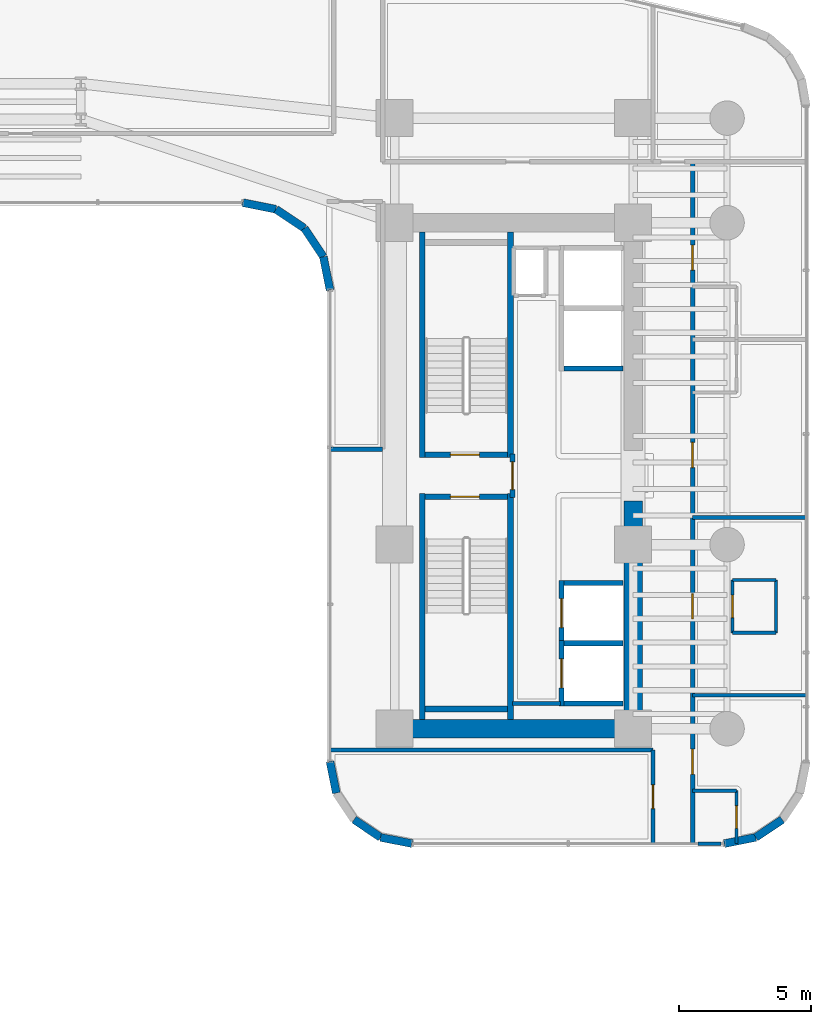
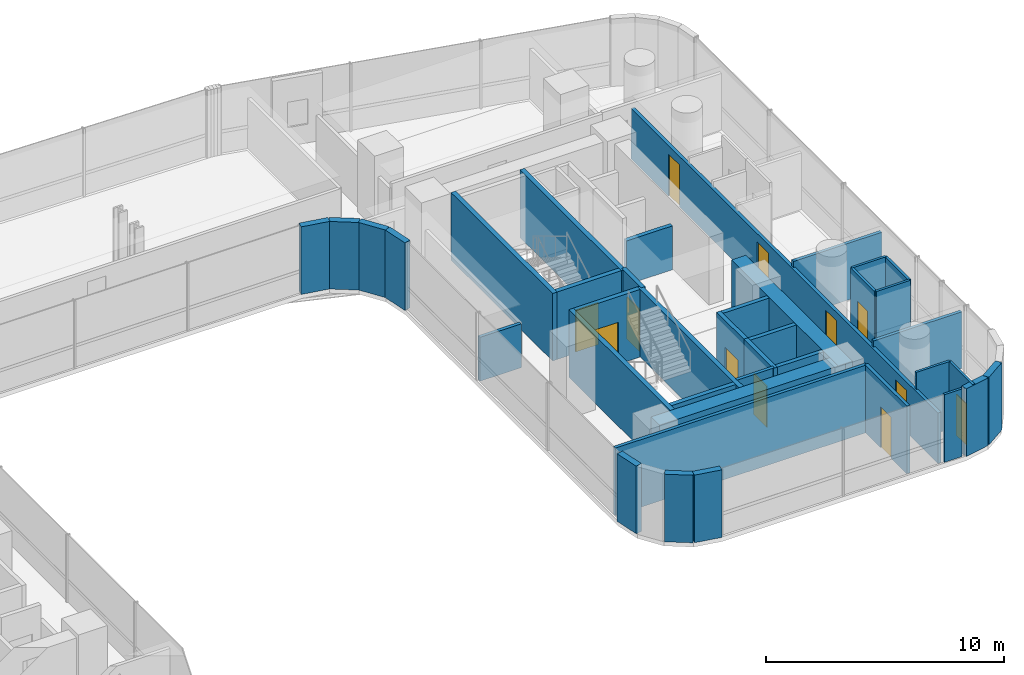
# One storey, part 31 of 39: 39 walls, 12 doors, 12 openings.
"""IFC4 building model written with IfcOpenShell, lengths in metres."""

from ifc_helpers import new_model, si_unit, direction, frame, frame_2d, origin, place, context, subcontext, project, spatial, rectangle, extrude, material, layer, layer_set, type_object, element, fill, save


model = new_model("IFC4")

# Units and contexts
model_context = context("Model", 3, precision=1e-05, world=origin(), true_north=direction((0.0, 1.0)))
body_context = subcontext(model_context, "Body", "Model", "MODEL_VIEW")
ifc_project = project(units=[si_unit("LENGTHUNIT", "METRE"), si_unit("AREAUNIT", "SQUARE_METRE"), si_unit("VOLUMEUNIT", "CUBIC_METRE"), si_unit("PLANEANGLEUNIT", "RADIAN"), si_unit("MASSUNIT", "GRAM", prefix="KILO")], contexts=[model_context])

# Site, building, storey
site_placement = place(None, origin())
site = spatial("IfcSite", under=ifc_project, at=site_placement, CompositionType="ELEMENT")
building_placement = place(site_placement, origin())
building = spatial("IfcBuilding", under=site, at=building_placement, Name="Valdorenza Pilgrim Sanctuary Tower", CompositionType="ELEMENT")
storey_placement = place(building_placement, frame((0.0, 0.0, 70.39990234375)))
storey = spatial("IfcBuildingStorey", under=building, at=storey_placement, Name="L17", CompositionType="ELEMENT", Elevation=70.39990234375)

# Wall
ifc_material_1 = material(Name="Acoustic twin-stud gypsum partition", Category="gypsum")
ifc_layer_1 = layer(ifc_material_1, 0.159912109375, Name="Acoustic twin-stud gypsum partition")
ifc_layer_set_1 = layer_set([ifc_layer_1], Name="Acoustic twin-stud gypsum partition")
wall_type_1 = type_object("IfcWallType", Name="WAL-COR-160", PredefinedType="PARTITIONING", material=ifc_layer_set_1)
wall_1_placement = place(storey_placement, frame((20.300048828125, -8.60009765625, 0.0), z_axis=(0.0, 0.0, 1.0), x_axis=(1.0, 0.0, 0.0)))
element("IfcWall", 1, at=wall_1_placement, inside=storey, type_object=wall_type_1, Name="L17 Core B Lift Hall South End Wall", PredefinedType="PARTITIONING", context=body_context, shape_type="SweptSolid", body=[
    extrude(rectangle(XDim=1.820068359375, YDim=0.159912109375, at=frame_2d((0.91015625, 0.0))), origin(), (0.0, 0.0, 1.0), 3.460205078125),
])

# Wall, opening, door
wall_2_placement = place(storey_placement, frame((25.60009765625, -13.889892578125, 0.0), z_axis=(0.0, 0.0, 1.0), x_axis=(0.0, 1.0, 0.0)))
wall_2 = element("IfcWall", 2, at=wall_2_placement, inside=storey, type_object=wall_type_1, Name="L17 Wing B South-East Corridor Wall", PredefinedType="PARTITIONING", context=body_context, shape_type="SweptSolid", body=[
    extrude(rectangle(XDim=3.539794921875, YDim=0.159912109375, at=frame_2d((1.77001953125, 0.0))), origin(), (0.0, 0.0, 1.0), 3.460205078125),
])
opening_1_placement = place(wall_2_placement, frame((1.320068359375, 0.0, 0.0)))
opening_1 = element("IfcOpeningElement", 3, at=opening_1_placement, cuts=wall_2, Name="Opening DR-RM1", PredefinedType="OPENING", context=body_context, shape_type="SweptSolid", body=[
    extrude(rectangle(XDim=0.89990234375, YDim=2.10009765625, at=frame_2d((0.449951171875, 1.050048828125))), frame((0.0, 0.0947265625, 0.0), z_axis=(0.0, -1.0, 0.0), x_axis=(1.0, 0.0, 0.0)), (0.0, 0.0, 1.0), 0.189697265625),
])
ifc_material_2 = material(Name="Solid-core European oak timber", Category="wood")
door_type_1 = type_object("IfcDoorType", Name="DR-ROOM-900", OperationType="NOTDEFINED", PredefinedType="DOOR", material=ifc_material_2)
door_1_placement = place(opening_1_placement, origin())
door_1 = element("IfcDoor", 4, at=door_1_placement, inside=storey, type_object=door_type_1, Name="L17 Theological Reference Library L17-BS Door", OperationType="SINGLE_SWING_RIGHT", OverallHeight=2.10009765625, OverallWidth=0.89990234375, PredefinedType="DOOR", context=body_context, shape_type="SweptSolid", body=[
    extrude(rectangle(XDim=0.89990234375, YDim=2.10009765625, at=frame_2d((0.449951171875, 1.050048828125))), frame((0.0, 0.02490234375, 0.0), z_axis=(0.0, -1.0, 0.0), x_axis=(1.0, 0.0, 0.0)), (0.0, 0.0, 1.0), 0.050048828125),
])
fill(opening_1, door_1)

# Wall
wall_3_placement = place(storey_placement, frame((13.409912109375, -10.35009765625, 0.0), z_axis=(0.0, 0.0, 1.0), x_axis=(1.0, 0.0, 0.0)))
element("IfcWall", 5, at=wall_3_placement, inside=storey, type_object=wall_type_1, Name="L17 Wing B South North Wall", PredefinedType="PARTITIONING", context=body_context, shape_type="SweptSolid", body=[
    extrude(rectangle(XDim=12.190185546875, YDim=0.159912109375, at=frame_2d((6.09521484375, 0.0))), origin(), (0.0, 0.0, 1.0), 3.460205078125),
])

# Wall, openings, doors
wall_4_placement = place(storey_placement, frame((27.10009765625, -13.889892578125, 0.0), z_axis=(0.0, 0.0, 1.0), x_axis=(0.0, 1.0, 0.0)))
wall_4 = element("IfcWall", 6, at=wall_4_placement, inside=storey, type_object=wall_type_1, Name="L17 Wing B East Corridor Wall", PredefinedType="PARTITIONING", context=body_context, shape_type="SweptSolid", body=[
    extrude(rectangle(XDim=25.739990234375, YDim=0.159912109375, at=frame_2d((12.8701171875, 0.0))), origin(), (0.0, 0.0, 1.0), 2.5830078125),
])
opening_2_placement = place(wall_4_placement, frame((2.6201171875, 0.0, 0.0)))
opening_2 = element("IfcOpeningElement", 7, at=opening_2_placement, cuts=wall_4, Name="Opening DR-UN1", PredefinedType="OPENING", context=body_context, shape_type="SweptSolid", body=[
    extrude(rectangle(XDim=0.949951171875, YDim=2.14990234375, at=frame_2d((0.47509765625, 1.074951171875))), frame((0.0, 0.0947265625, 0.0), z_axis=(0.0, -1.0, 0.0), x_axis=(1.0, 0.0, 0.0)), (0.0, 0.0, 1.0), 0.189697265625),
])
opening_3_placement = place(wall_4_placement, frame((8.48388671875, 0.0, 0.0)))
opening_3 = element("IfcOpeningElement", 8, at=opening_3_placement, cuts=wall_4, Name="Opening DR-UN1", PredefinedType="OPENING", context=body_context, shape_type="SweptSolid", body=[
    extrude(rectangle(XDim=0.949951171875, YDim=2.14990234375, at=frame_2d((0.47509765625, 1.074951171875))), frame((0.0, 0.0947265625, 0.0), z_axis=(0.0, -1.0, 0.0), x_axis=(1.0, 0.0, 0.0)), (0.0, 0.0, 1.0), 0.189697265625),
])
opening_4_placement = place(wall_4_placement, frame((14.197021484375, 0.0, 0.0)))
opening_4 = element("IfcOpeningElement", 9, at=opening_4_placement, cuts=wall_4, Name="Opening DR-UN1", PredefinedType="OPENING", context=body_context, shape_type="SweptSolid", body=[
    extrude(rectangle(XDim=0.949951171875, YDim=2.14990234375, at=frame_2d((0.47509765625, 1.074951171875))), frame((0.0, 0.0947265625, 0.0), z_axis=(0.0, -1.0, 0.0), x_axis=(1.0, 0.0, 0.0)), (0.0, 0.0, 1.0), 0.189697265625),
])
opening_5_placement = place(wall_4_placement, frame((21.64794921875, 0.0, 0.0)))
opening_5 = element("IfcOpeningElement", 10, at=opening_5_placement, cuts=wall_4, Name="Opening DR-UN1", PredefinedType="OPENING", context=body_context, shape_type="SweptSolid", body=[
    extrude(rectangle(XDim=0.949951171875, YDim=2.14990234375, at=frame_2d((0.47509765625, 1.074951171875))), frame((0.0, 0.0947265625, 0.0), z_axis=(0.0, -1.0, 0.0), x_axis=(1.0, 0.0, 0.0)), (0.0, 0.0, 1.0), 0.189697265625),
])
door_type_2 = type_object("IfcDoorType", Name="DR-UNIT-950", OperationType="NOTDEFINED", PredefinedType="DOOR", material=ifc_material_2)
door_2_placement = place(opening_2_placement, origin())
door_2 = element("IfcDoor", 11, at=door_2_placement, inside=storey, type_object=door_type_2, Name="L17 East Sanctuary Guest Room L17-EG1 Entrance Door", OperationType="SINGLE_SWING_RIGHT", OverallHeight=2.14990234375, OverallWidth=0.949951171875, PredefinedType="DOOR", context=body_context, shape_type="SweptSolid", body=[
    extrude(rectangle(XDim=0.949951171875, YDim=2.14990234375, at=frame_2d((0.47509765625, 1.074951171875))), frame((0.0, 0.02490234375, 0.0), z_axis=(0.0, -1.0, 0.0), x_axis=(1.0, 0.0, 0.0)), (0.0, 0.0, 1.0), 0.050048828125),
])
fill(opening_2, door_2)
door_3_placement = place(opening_3_placement, origin())
door_3 = element("IfcDoor", 12, at=door_3_placement, inside=storey, type_object=door_type_2, Name="L17 East Sanctuary Guest Room L17-EG2 Entrance Door", OperationType="SINGLE_SWING_RIGHT", OverallHeight=2.14990234375, OverallWidth=0.949951171875, PredefinedType="DOOR", context=body_context, shape_type="SweptSolid", body=[
    extrude(rectangle(XDim=0.949951171875, YDim=2.14990234375, at=frame_2d((0.47509765625, 1.074951171875))), frame((0.0, 0.02490234375, 0.0), z_axis=(0.0, -1.0, 0.0), x_axis=(1.0, 0.0, 0.0)), (0.0, 0.0, 1.0), 0.050048828125),
])
fill(opening_3, door_3)
door_4_placement = place(opening_4_placement, origin())
door_4 = element("IfcDoor", 13, at=door_4_placement, inside=storey, type_object=door_type_2, Name="L17 East Sanctuary Guest Room L17-EG3 Entrance Door", OperationType="SINGLE_SWING_RIGHT", OverallHeight=2.14990234375, OverallWidth=0.949951171875, PredefinedType="DOOR", context=body_context, shape_type="SweptSolid", body=[
    extrude(rectangle(XDim=0.949951171875, YDim=2.14990234375, at=frame_2d((0.47509765625, 1.074951171875))), frame((0.0, 0.02490234375, 0.0), z_axis=(0.0, -1.0, 0.0), x_axis=(1.0, 0.0, 0.0)), (0.0, 0.0, 1.0), 0.050048828125),
])
fill(opening_4, door_4)
door_5_placement = place(opening_5_placement, origin())
door_5 = element("IfcDoor", 14, at=door_5_placement, inside=storey, type_object=door_type_2, Name="L17 East Sanctuary Guest Room L17-EG4 Entrance Door", OperationType="SINGLE_SWING_RIGHT", OverallHeight=2.14990234375, OverallWidth=0.949951171875, PredefinedType="DOOR", context=body_context, shape_type="SweptSolid", body=[
    extrude(rectangle(XDim=0.949951171875, YDim=2.14990234375, at=frame_2d((0.47509765625, 1.074951171875))), frame((0.0, 0.02490234375, 0.0), z_axis=(0.0, -1.0, 0.0), x_axis=(1.0, 0.0, 0.0)), (0.0, 0.0, 1.0), 0.050048828125),
])
fill(opening_5, door_5)

# Walls
wall_5_placement = place(storey_placement, frame((13.409912109375, 1.0, 0.0), z_axis=(0.0, 0.0, 1.0), x_axis=(1.0, 0.0, 0.0)))
element("IfcWall", 15, at=wall_5_placement, inside=storey, type_object=wall_type_1, Name="L17 Courtyard Overlook South Wall", PredefinedType="PARTITIONING", context=body_context, shape_type="SweptSolid", body=[
    extrude(rectangle(XDim=1.989990234375, YDim=0.159912109375, at=frame_2d((0.9951171875, 0.0))), origin(), (0.0, 0.0, 1.0), 2.2451171875),
])
ifc_material_3 = material(Name="Concrete C60/75", Category="concrete")
ifc_layer_2 = layer(ifc_material_3, 0.699951171875, Name="Concrete C60/75")
ifc_layer_set_2 = layer_set([ifc_layer_2], Name="Concrete C60/75")
wall_type_2 = type_object("IfcWallType", Name="WAL-COR-700", PredefinedType="SHEAR", material=ifc_layer_set_2)
wall_6_placement = place(storey_placement, frame((24.85009765625, -9.89990234375, 0.0), z_axis=(0.0, 0.0, 1.0), x_axis=(0.0, 1.0, 0.0)))
element("IfcWall", 16, at=wall_6_placement, inside=storey, type_object=wall_type_2, Name="L17 Split Core B Shear Wall ES", PredefinedType="SHEAR", context=body_context, shape_type="SweptSolid", body=[
    extrude(rectangle(XDim=8.949951171875, YDim=0.699951171875, at=frame_2d((4.47509765625, 0.0))), origin(), (0.0, 0.0, 1.0), 3.460205078125),
])
wall_7_placement = place(storey_placement, frame((15.85009765625, -9.550048828125, 0.0), z_axis=(0.0, 0.0, 1.0), x_axis=(1.0, 0.0, 0.0)))
element("IfcWall", 17, at=wall_7_placement, inside=storey, type_object=wall_type_2, Name="L17 Split Core B Shear Wall S", PredefinedType="SHEAR", context=body_context, shape_type="SweptSolid", body=[
    extrude(rectangle(XDim=9.0, YDim=0.699951171875, at=frame_2d((4.5, 0.0))), origin(), (0.0, 0.0, 1.0), 3.460205078125),
])
ifc_material_4 = material(Name="Honed travertine limestone", Category="masonry")
ifc_layer_3 = layer(ifc_material_4, 0.300048828125, Name="Honed travertine limestone")
ifc_layer_set_3 = layer_set([ifc_layer_3], Name="Honed travertine limestone")
wall_type_3 = type_object("IfcWallType", Name="WAL-EXT-300", PredefinedType="SOLIDWALL", material=ifc_layer_set_3)
wall_8_placement = place(storey_placement, frame((30.4833984375, -12.9833984375, 0.0), z_axis=(0.0, 0.0, 1.0), x_axis=(-0.831426265255, -0.555635100982, 0.0)))
element("IfcWall", 18, at=wall_8_placement, inside=storey, type_object=wall_type_3, Name="L17 Rounded Wind-Corner Stone Pier 24", PredefinedType="SOLIDWALL", context=body_context, shape_type="SweptSolid", body=[
    extrude(rectangle(XDim=1.204833984375, YDim=0.300048828125, at=frame_2d((0.6025390625, 0.0))), origin(), (0.0, 0.0, 1.0), 3.460205078125),
])
for number, where, z_axis, x_axis, name in (
    (19, (29.481689453125, -13.65283203125, 0.0), (0.0, 0.0, 1.0), (-0.980804027463, -0.194996050505, 0.0), "L17 Rounded Wind-Corner Stone Pier 25"),
    (20, (16.5107421875, -13.889892578125, 0.0), (0.0, 0.0, 1.0), (-0.980804027463, 0.194996050505, 0.0), "L17 Rounded Wind-Corner Stone Pier 27"),
):
    element("IfcWall", number, at=place(storey_placement, frame(where, z_axis=z_axis, x_axis=x_axis)), inside=storey, type_object=wall_type_3, Name=name, PredefinedType="SOLIDWALL", context=body_context, shape_type="SweptSolid", body=[
        extrude(rectangle(XDim=1.2158203125, YDim=0.300048828125, at=frame_2d((0.60791015625, 0.0))), origin(), (0.0, 0.0, 1.0), 3.460205078125),
    ])
wall_9_placement = place(storey_placement, frame((15.318359375, -13.65283203125, 0.0), z_axis=(0.0, 0.0, 1.0), x_axis=(-0.831426265255, 0.555635100982, 0.0)))
element("IfcWall", 21, at=wall_9_placement, inside=storey, type_object=wall_type_3, Name="L17 Rounded Wind-Corner Stone Pier 28", PredefinedType="SOLIDWALL", context=body_context, shape_type="SweptSolid", body=[
    extrude(rectangle(XDim=1.204833984375, YDim=0.300048828125, at=frame_2d((0.6025390625, 0.0))), origin(), (0.0, 0.0, 1.0), 3.460205078125),
])
wall_10_placement = place(storey_placement, frame((13.647216796875, -11.981689453125, 0.0), z_axis=(0.0, 0.0, 1.0), x_axis=(-0.195189223115, 0.980765602568, 0.0)))
element("IfcWall", 22, at=wall_10_placement, inside=storey, type_object=wall_type_3, Name="L17 Rounded Wind-Corner Stone Pier 30", PredefinedType="SOLIDWALL", context=body_context, shape_type="SweptSolid", body=[
    extrude(rectangle(XDim=1.2158203125, YDim=0.300048828125, at=frame_2d((0.60791015625, 0.0))), origin(), (0.0, 0.0, 1.0), 3.460205078125),
])
wall_11_placement = place(storey_placement, frame((13.409912109375, 7.0107421875, 0.0), z_axis=(0.0, 0.0, 1.0), x_axis=(-0.195090163074, 0.980785312019, 0.0)))
element("IfcWall", 23, at=wall_11_placement, inside=storey, type_object=wall_type_3, Name="L17 Rounded Wind-Corner Stone Pier 32", PredefinedType="SOLIDWALL", context=body_context, shape_type="SweptSolid", body=[
    extrude(rectangle(XDim=1.281494140625, YDim=0.300048828125, at=frame_2d((0.640625, 0.0))), origin(), (0.0, 0.0, 1.0), 3.460205078125),
])
for number, where, z_axis, x_axis, name in (
    (24, (13.159912109375, 8.267578125, 0.0), (0.0, 0.0, 1.0), (-0.555615398575, 0.831439431869, 0.0), "L17 Rounded Wind-Corner Stone Pier 33"),
    (25, (12.44189453125, 9.342041015625, 0.0), (0.0, 0.0, 1.0), (-0.831439431869, 0.555615398575, 0.0), "L17 Rounded Wind-Corner Stone Pier 34"),
):
    element("IfcWall", number, at=place(storey_placement, frame(where, z_axis=z_axis, x_axis=x_axis)), inside=storey, type_object=wall_type_3, Name=name, PredefinedType="SOLIDWALL", context=body_context, shape_type="SweptSolid", body=[
        extrude(rectangle(XDim=1.292236328125, YDim=0.300048828125, at=frame_2d((0.64599609375, 0.0))), origin(), (0.0, 0.0, 1.0), 3.460205078125),
    ])
wall_12_placement = place(storey_placement, frame((11.367431640625, 10.06005859375, 0.0), z_axis=(0.0, 0.0, 1.0), x_axis=(-0.980778058848, 0.195126623715, 0.0)))
element("IfcWall", 26, at=wall_12_placement, inside=storey, type_object=wall_type_3, Name="L17 Rounded Wind-Corner Stone Pier 35", PredefinedType="SOLIDWALL", context=body_context, shape_type="SweptSolid", body=[
    extrude(rectangle(XDim=1.28125, YDim=0.300048828125, at=frame_2d((0.640625, 0.0))), origin(), (0.0, 0.0, 1.0), 3.460205078125),
])

# Wall, opening, door
ifc_material_5 = material(Name="Gypsum shaftwall partition", Category="gypsum")
ifc_layer_4 = layer(ifc_material_5, 0.199951171875, Name="Gypsum shaftwall partition")
ifc_layer_set_4 = layer_set([ifc_layer_4], Name="Gypsum shaftwall partition")
wall_type_4 = type_object("IfcWallType", Name="WAL-FFL-200", PredefinedType="PARTITIONING", material=ifc_layer_set_4)
wall_13_placement = place(storey_placement, frame((20.300048828125, -0.820068359375, 0.0), z_axis=(0.0, 0.0, 1.0), x_axis=(0.0, 1.0, 0.0)))
wall_13 = element("IfcWall", 27, at=wall_13_placement, inside=storey, type_object=wall_type_4, Name="L17 Core B Firefighting Lobby East Wall", PredefinedType="PARTITIONING", context=body_context, shape_type="SweptSolid", body=[
    extrude(rectangle(XDim=1.64013671875, YDim=0.199951171875, at=frame_2d((0.820068359375, 0.0))), origin(), (0.0, 0.0, 1.0), 3.460205078125),
])
opening_6_placement = place(wall_13_placement, frame((0.294921875, 0.0, 0.0)))
opening_6 = element("IfcOpeningElement", 28, at=opening_6_placement, cuts=wall_13, Name="Opening DR-FL1", PredefinedType="OPENING", context=body_context, shape_type="SweptSolid", body=[
    extrude(rectangle(XDim=1.050048828125, YDim=2.14990234375, at=frame_2d((0.52490234375, 1.074951171875))), frame((0.0, 0.11474609375, 0.0), z_axis=(0.0, -1.0, 0.0), x_axis=(1.0, 0.0, 0.0)), (0.0, 0.0, 1.0), 0.229736328125),
])
ifc_material_6 = material(Name="Painted galvanized steel", Category="steel")
door_type_3 = type_object("IfcDoorType", Name="DR-FFL-1050", OperationType="NOTDEFINED", PredefinedType="DOOR", material=ifc_material_6)
door_6_placement = place(opening_6_placement, origin())
door_6 = element("IfcDoor", 29, at=door_6_placement, inside=storey, type_object=door_type_3, Name="L17 Core B Firefighting Lobby Door", OperationType="SINGLE_SWING_RIGHT", OverallHeight=2.14990234375, OverallWidth=1.050048828125, PredefinedType="DOOR", context=body_context, shape_type="SweptSolid", body=[
    extrude(rectangle(XDim=1.050048828125, YDim=2.14990234375, at=frame_2d((0.52490234375, 1.074951171875))), frame((0.0, 0.02490234375, 0.0), z_axis=(0.0, -1.0, 0.0), x_axis=(1.0, 0.0, 0.0)), (0.0, 0.0, 1.0), 0.050048828125),
])
fill(opening_6, door_6)

# Wall
ifc_material_7 = material(Name="Moisture-resistant gypsum partition", Category="gypsum")
ifc_layer_5 = layer(ifc_material_7, 0.1201171875, Name="Moisture-resistant gypsum partition")
ifc_layer_set_5 = layer_set([ifc_layer_5], Name="Moisture-resistant gypsum partition")
wall_type_5 = type_object("IfcWallType", Name="WAL-INT-120", PredefinedType="PARTITIONING", material=ifc_layer_set_5)
wall_14_placement = place(storey_placement, frame((27.10009765625, -11.889892578125, 0.0), z_axis=(0.0, 0.0, 1.0), x_axis=(1.0, 0.0, 0.0)))
element("IfcWall", 30, at=wall_14_placement, inside=storey, type_object=wall_type_5, Name="L17 East Sanctuary Guest Room L17-EG1 En-suite North Wall", PredefinedType="PARTITIONING", context=body_context, shape_type="SweptSolid", body=[
    extrude(rectangle(XDim=1.64990234375, YDim=0.1201171875, at=frame_2d((0.824951171875, 0.0))), origin(), (0.0, 0.0, 1.0), 3.460205078125),
])

# Wall, opening, door
wall_15_placement = place(storey_placement, frame((28.75, -13.889892578125, 0.0), z_axis=(0.0, 0.0, 1.0), x_axis=(0.0, 1.0, 0.0)))
wall_15 = element("IfcWall", 31, at=wall_15_placement, inside=storey, type_object=wall_type_5, Name="L17 East Sanctuary Guest Room L17-EG1 En-suite Door Wall", PredefinedType="PARTITIONING", context=body_context, shape_type="SweptSolid", body=[
    extrude(rectangle(XDim=2.0, YDim=0.1201171875, at=frame_2d((1.0, 0.0))), origin(), (0.0, 0.0, 1.0), 3.460205078125),
])
opening_7_placement = place(wall_15_placement, frame((0.574951171875, 0.0, 0.0)))
opening_7 = element("IfcOpeningElement", 32, at=opening_7_placement, cuts=wall_15, Name="Opening DR-WC1", PredefinedType="OPENING", context=body_context, shape_type="SweptSolid", body=[
    extrude(rectangle(XDim=0.85009765625, YDim=2.10009765625, at=frame_2d((0.425048828125, 1.050048828125))), frame((0.0, 0.074951171875, 0.0), z_axis=(0.0, -1.0, 0.0), x_axis=(1.0, 0.0, 0.0)), (0.0, 0.0, 1.0), 0.14990234375),
])
ifc_material_8 = material(Name="Moisture-resistant lacquered timber", Category="wood")
door_type_4 = type_object("IfcDoorType", Name="DR-BATH-850", OperationType="NOTDEFINED", PredefinedType="DOOR", material=ifc_material_8)
door_7_placement = place(opening_7_placement, origin())
door_7 = element("IfcDoor", 33, at=door_7_placement, inside=storey, type_object=door_type_4, Name="L17 East Sanctuary Guest Room L17-EG1 En-suite Bathroom Door", OperationType="SINGLE_SWING_LEFT", OverallHeight=2.10009765625, OverallWidth=0.85009765625, PredefinedType="DOOR", context=body_context, shape_type="SweptSolid", body=[
    extrude(rectangle(XDim=0.85009765625, YDim=2.10009765625, at=frame_2d((0.425048828125, 1.050048828125))), frame((0.0, 0.02490234375, 0.0), z_axis=(0.0, -1.0, 0.0), x_axis=(1.0, 0.0, 0.0)), (0.0, 0.0, 1.0), 0.050048828125),
])
fill(opening_7, door_7)

# Walls
wall_16_placement = place(storey_placement, frame((27.300048828125, -13.889892578125, 0.0), z_axis=(0.0, 0.0, 1.0), x_axis=(1.0, 0.0, 0.0)))
element("IfcWall", 34, at=wall_16_placement, inside=storey, type_object=wall_type_5, Name="L17 WB-EG1-ENS Enclosure Wall S", PredefinedType="PARTITIONING", context=body_context, shape_type="SweptSolid", body=[
    extrude(rectangle(XDim=0.86669921875, YDim=0.1201171875, at=frame_2d((0.433349609375, 0.0))), origin(), (0.0, 0.0, 1.0), 3.460205078125),
])
for number, where, z_axis, x_axis, name in (
    (35, (28.60009765625, -5.930908203125, 0.0), (0.0, 0.0, 1.0), (1.0, 0.0, 0.0), "L17 East Sanctuary Guest Room L17-EG2 En-suite South Wall"),
    (36, (28.60009765625, -3.930908203125, 0.0), (0.0, 0.0, 1.0), (1.0, 0.0, 0.0), "L17 East Sanctuary Guest Room L17-EG2 En-suite North Wall"),
):
    element("IfcWall", number, at=place(storey_placement, frame(where, z_axis=z_axis, x_axis=x_axis)), inside=storey, type_object=wall_type_5, Name=name, PredefinedType="PARTITIONING", context=body_context, shape_type="SweptSolid", body=[
        extrude(rectangle(XDim=1.64990234375, YDim=0.1201171875, at=frame_2d((0.824951171875, 0.0))), origin(), (0.0, 0.0, 1.0), 3.460205078125),
    ])
wall_17_placement = place(storey_placement, frame((30.25, -5.930908203125, 0.0), z_axis=(0.0, 0.0, 1.0), x_axis=(0.0, 1.0, 0.0)))
element("IfcWall", 37, at=wall_17_placement, inside=storey, type_object=wall_type_5, Name="L17 East Sanctuary Guest Room L17-EG2 En-suite Back Wall", PredefinedType="PARTITIONING", context=body_context, shape_type="SweptSolid", body=[
    extrude(rectangle(XDim=2.0, YDim=0.1201171875, at=frame_2d((1.0, 0.0))), origin(), (0.0, 0.0, 1.0), 3.460205078125),
])

# Wall, opening, door
wall_18_placement = place(storey_placement, frame((28.60009765625, -5.930908203125, 0.0), z_axis=(0.0, 0.0, 1.0), x_axis=(0.0, 1.0, 0.0)))
wall_18 = element("IfcWall", 38, at=wall_18_placement, inside=storey, type_object=wall_type_5, Name="L17 East Sanctuary Guest Room L17-EG2 En-suite Door Wall", PredefinedType="PARTITIONING", context=body_context, shape_type="SweptSolid", body=[
    extrude(rectangle(XDim=2.0, YDim=0.1201171875, at=frame_2d((1.0, 0.0))), origin(), (0.0, 0.0, 1.0), 3.460205078125),
])
opening_8_placement = place(wall_18_placement, frame((0.574951171875, 0.0, 0.0)))
opening_8 = element("IfcOpeningElement", 39, at=opening_8_placement, cuts=wall_18, Name="Opening DR-WC1", PredefinedType="OPENING", context=body_context, shape_type="SweptSolid", body=[
    extrude(rectangle(XDim=0.85009765625, YDim=2.10009765625, at=frame_2d((0.425048828125, 1.050048828125))), frame((0.0, 0.074951171875, 0.0), z_axis=(0.0, -1.0, 0.0), x_axis=(1.0, 0.0, 0.0)), (0.0, 0.0, 1.0), 0.14990234375),
])
door_8_placement = place(opening_8_placement, origin())
door_8 = element("IfcDoor", 40, at=door_8_placement, inside=storey, type_object=door_type_4, Name="L17 East Sanctuary Guest Room L17-EG2 En-suite Bathroom Door", OperationType="SINGLE_SWING_LEFT", OverallHeight=2.10009765625, OverallWidth=0.85009765625, PredefinedType="DOOR", context=body_context, shape_type="SweptSolid", body=[
    extrude(rectangle(XDim=0.85009765625, YDim=2.10009765625, at=frame_2d((0.425048828125, 1.050048828125))), frame((0.0, 0.02490234375, 0.0), z_axis=(0.0, -1.0, 0.0), x_axis=(1.0, 0.0, 0.0)), (0.0, 0.0, 1.0), 0.050048828125),
])
fill(opening_8, door_8)

ifc_material_9 = material(Name="Autoclaved aerated concrete blockwork", Category="masonry")
ifc_layer_6 = layer(ifc_material_9, 0.199951171875, Name="Autoclaved aerated concrete blockwork")
ifc_layer_set_6 = layer_set([ifc_layer_6], Name="Autoclaved aerated concrete blockwork")
wall_type_6 = type_object("IfcWallType", Name="WAL-SHF-200", PredefinedType="MOVABLE", material=ifc_layer_set_6)
wall_19_placement = place(storey_placement, frame((22.14990234375, -8.699951171875, 0.0), z_axis=(0.0, 0.0, 1.0), x_axis=(0.0, 1.0, 0.0)))
wall_19 = element("IfcWall", 41, at=wall_19_placement, inside=storey, type_object=wall_type_6, Name="L17 Lift PL-03 Hoistway Wall West", PredefinedType="MOVABLE", context=body_context, shape_type="SweptSolid", body=[
    extrude(rectangle(XDim=2.474853515625, YDim=0.199951171875, at=frame_2d((1.2373046875, 0.0))), origin(), (0.0, 0.0, 1.0), 3.460205078125),
])
opening_9_placement = place(wall_19_placement, frame((0.6875, 0.0, 0.0)))
opening_9 = element("IfcOpeningElement", 42, at=opening_9_placement, cuts=wall_19, Name="Opening LD-01", PredefinedType="OPENING", context=body_context, shape_type="SweptSolid", body=[
    extrude(rectangle(XDim=1.10009765625, YDim=2.10009765625, at=frame_2d((0.550048828125, 1.050048828125))), frame((0.0, 0.11474609375, 0.0), z_axis=(0.0, -1.0, 0.0), x_axis=(1.0, 0.0, 0.0)), (0.0, 0.0, 1.0), 0.229736328125),
])
ifc_material_10 = material(Name="Brushed stainless steel Grade 316", Category="steel")
door_type_5 = type_object("IfcDoorType", Name="DR-LFT-1100", OperationType="DOUBLE_DOOR_SLIDING", PredefinedType="DOOR", material=ifc_material_10)
door_9_placement = place(opening_9_placement, origin())
door_9 = element("IfcDoor", 43, at=door_9_placement, inside=storey, type_object=door_type_5, Name="L17 Lift PL-03 Sliding Landing Door", OperationType="DOUBLE_DOOR_SLIDING", OverallHeight=2.10009765625, OverallWidth=1.10009765625, PredefinedType="DOOR", context=body_context, shape_type="SweptSolid", body=[
    extrude(rectangle(XDim=1.10009765625, YDim=2.10009765625, at=frame_2d((0.550048828125, 1.050048828125))), frame((0.0, 0.02490234375, 0.0), z_axis=(0.0, -1.0, 0.0), x_axis=(1.0, 0.0, 0.0)), (0.0, 0.0, 1.0), 0.050048828125),
])
fill(opening_9, door_9)

# Walls
for number, where, z_axis, x_axis, name in (
    (44, (22.25, -8.60009765625, 0.0), (0.0, 0.0, 1.0), (1.0, 0.0, 0.0), "L17 Lift PL-03 Hoistway Wall South"),
    (45, (22.25, -6.324951171875, 0.0), (0.0, 0.0, 1.0), (1.0, 0.0, 0.0), "L17 Lift PL-03 Hoistway Wall North"),
):
    element("IfcWall", number, at=place(storey_placement, frame(where, z_axis=z_axis, x_axis=x_axis)), inside=storey, type_object=wall_type_6, Name=name, PredefinedType="MOVABLE", context=body_context, shape_type="SweptSolid", body=[
        extrude(rectangle(XDim=2.22998046875, YDim=0.199951171875, at=frame_2d((1.114990234375, 0.0))), origin(), (0.0, 0.0, 1.0), 3.460205078125),
    ])

# Wall, opening, door
wall_20_placement = place(storey_placement, frame((22.14990234375, -6.425048828125, 0.0), z_axis=(0.0, 0.0, 1.0), x_axis=(0.0, 1.0, 0.0)))
wall_20 = element("IfcWall", 46, at=wall_20_placement, inside=storey, type_object=wall_type_6, Name="L17 Lift PL-04 Hoistway Wall West", PredefinedType="MOVABLE", context=body_context, shape_type="SweptSolid", body=[
    extrude(rectangle(XDim=2.47509765625, YDim=0.199951171875, at=frame_2d((1.237548828125, 0.0))), origin(), (0.0, 0.0, 1.0), 3.460205078125),
])
opening_10_placement = place(wall_20_placement, frame((0.6875, 0.0, 0.0)))
opening_10 = element("IfcOpeningElement", 47, at=opening_10_placement, cuts=wall_20, Name="Opening LD-01", PredefinedType="OPENING", context=body_context, shape_type="SweptSolid", body=[
    extrude(rectangle(XDim=1.10009765625, YDim=2.10009765625, at=frame_2d((0.550048828125, 1.050048828125))), frame((0.0, 0.11474609375, 0.0), z_axis=(0.0, -1.0, 0.0), x_axis=(1.0, 0.0, 0.0)), (0.0, 0.0, 1.0), 0.229736328125),
])
door_10_placement = place(opening_10_placement, origin())
door_10 = element("IfcDoor", 48, at=door_10_placement, inside=storey, type_object=door_type_5, Name="L17 Lift PL-04 Sliding Landing Door", OperationType="DOUBLE_DOOR_SLIDING", OverallHeight=2.10009765625, OverallWidth=1.10009765625, PredefinedType="DOOR", context=body_context, shape_type="SweptSolid", body=[
    extrude(rectangle(XDim=1.10009765625, YDim=2.10009765625, at=frame_2d((0.550048828125, 1.050048828125))), frame((0.0, 0.02490234375, 0.0), z_axis=(0.0, -1.0, 0.0), x_axis=(1.0, 0.0, 0.0)), (0.0, 0.0, 1.0), 0.050048828125),
])
fill(opening_10, door_10)

# Walls
wall_21_placement = place(storey_placement, frame((22.25, -4.050048828125, 0.0), z_axis=(0.0, 0.0, 1.0), x_axis=(1.0, 0.0, 0.0)))
element("IfcWall", 49, at=wall_21_placement, inside=storey, type_object=wall_type_6, Name="L17 Lift PL-04 Hoistway Wall North", PredefinedType="MOVABLE", context=body_context, shape_type="SweptSolid", body=[
    extrude(rectangle(XDim=2.22998046875, YDim=0.199951171875, at=frame_2d((1.114990234375, 0.0))), origin(), (0.0, 0.0, 1.0), 3.460205078125),
])
wall_22_placement = place(storey_placement, frame((22.25, 4.050048828125, 0.0), z_axis=(0.0, 0.0, 1.0), x_axis=(1.0, 0.0, 0.0)))
element("IfcWall", 50, at=wall_22_placement, inside=storey, type_object=wall_type_6, Name="L17 Lift PL-07 Hoistway Wall South", PredefinedType="MOVABLE", context=body_context, shape_type="SweptSolid", body=[
    extrude(rectangle(XDim=2.22998046875, YDim=0.199951171875, at=frame_2d((1.114990234375, 0.0))), origin(), (0.0, 0.0, 1.0), 2.2451171875),
])
ifc_material_11 = material(Name="Concrete C40/50", Category="concrete")
ifc_layer_7 = layer(ifc_material_11, 0.219970703125, Name="Concrete C40/50")
ifc_layer_set_7 = layer_set([ifc_layer_7], Name="Concrete C40/50")
wall_type_7 = type_object("IfcWallType", Name="WAL-STR-SHF-220", PredefinedType="SHEAR", material=ifc_layer_set_7)
for number, where, z_axis, x_axis, name in (
    (51, (16.889892578125, 0.679931640625, 0.0), (0.0, 0.0, 1.0), (0.0, 1.0, 0.0), "L17 ST-B1 Structural Stairwell Wall W"),
    (52, (20.219970703125, 0.679931640625, 0.0), (0.0, 0.0, 1.0), (0.0, 1.0, 0.0), "L17 ST-B1 Structural Stairwell Wall E"),
):
    element("IfcWall", number, at=place(storey_placement, frame(where, z_axis=z_axis, x_axis=x_axis)), inside=storey, type_object=wall_type_7, Name=name, PredefinedType="SHEAR", context=body_context, shape_type="SweptSolid", body=[
        extrude(rectangle(XDim=8.52001953125, YDim=0.219970703125, at=frame_2d((4.260009765625, 0.0))), origin(), (0.0, 0.0, 1.0), 3.460205078125),
    ])

# Wall, opening, door
wall_23_placement = place(storey_placement, frame((17.0, 0.7900390625, 0.0), z_axis=(0.0, 0.0, 1.0), x_axis=(1.0, 0.0, 0.0)))
wall_23 = element("IfcWall", 53, at=wall_23_placement, inside=storey, type_object=wall_type_7, Name="L17 ST-B1 Structural Stairwell Wall S", PredefinedType="SHEAR", context=body_context, shape_type="SweptSolid", body=[
    extrude(rectangle(XDim=3.110107421875, YDim=0.219970703125, at=frame_2d((1.55517578125, 0.0))), origin(), (0.0, 0.0, 1.0), 3.460205078125),
])
opening_11_placement = place(wall_23_placement, frame((0.949951171875, 0.0, 0.0)))
opening_11 = element("IfcOpeningElement", 54, at=opening_11_placement, cuts=wall_23, Name="Opening DR-ST1", PredefinedType="OPENING", context=body_context, shape_type="SweptSolid", body=[
    extrude(rectangle(XDim=1.10009765625, YDim=2.14990234375, at=frame_2d((0.550048828125, 1.074951171875))), frame((0.0, 0.125, 0.0), z_axis=(0.0, -1.0, 0.0), x_axis=(1.0, 0.0, 0.0)), (0.0, 0.0, 1.0), 0.249755859375),
])
door_type_6 = type_object("IfcDoorType", Name="DR-STAIR-1100", OperationType="NOTDEFINED", PredefinedType="DOOR", material=ifc_material_6)
door_11_placement = place(opening_11_placement, frame((1.10009765625, 0.0, 0.0), z_axis=(0.0, 0.0, 1.0), x_axis=(-1.0, 0.0, 0.0)))
door_11 = element("IfcDoor", 55, at=door_11_placement, inside=storey, type_object=door_type_6, Name="L17 Exit Stair ST-B1 Door", OperationType="SINGLE_SWING_LEFT", OverallHeight=2.14990234375, OverallWidth=1.10009765625, PredefinedType="DOOR", context=body_context, shape_type="SweptSolid", body=[
    extrude(rectangle(XDim=1.10009765625, YDim=2.14990234375, at=frame_2d((0.550048828125, 1.074951171875))), frame((0.0, 0.02490234375, 0.0), z_axis=(0.0, -1.0, 0.0), x_axis=(1.0, 0.0, 0.0)), (0.0, 0.0, 1.0), 0.050048828125),
])
fill(opening_11, door_11)

# Walls
for number, where, z_axis, x_axis, name in (
    (56, (16.889892578125, -9.199951171875, 0.0), (0.0, 0.0, 1.0), (0.0, 1.0, 0.0), "L17 ST-B2 Structural Stairwell Wall W"),
    (57, (20.219970703125, -9.199951171875, 0.0), (0.0, 0.0, 1.0), (0.0, 1.0, 0.0), "L17 ST-B2 Structural Stairwell Wall E"),
):
    element("IfcWall", number, at=place(storey_placement, frame(where, z_axis=z_axis, x_axis=x_axis)), inside=storey, type_object=wall_type_7, Name=name, PredefinedType="SHEAR", context=body_context, shape_type="SweptSolid", body=[
        extrude(rectangle(XDim=8.52001953125, YDim=0.219970703125, at=frame_2d((4.260009765625, 0.0))), origin(), (0.0, 0.0, 1.0), 3.460205078125),
    ])
wall_24_placement = place(storey_placement, frame((17.0, -8.81005859375, 0.0), z_axis=(0.0, 0.0, 1.0), x_axis=(1.0, 0.0, 0.0)))
element("IfcWall", 58, at=wall_24_placement, inside=storey, type_object=wall_type_7, Name="L17 ST-B2 Structural Stairwell Wall S", PredefinedType="SHEAR", context=body_context, shape_type="SweptSolid", body=[
    extrude(rectangle(XDim=3.110107421875, YDim=0.219970703125, at=frame_2d((1.55517578125, 0.0))), origin(), (0.0, 0.0, 1.0), 3.460205078125),
])

# Wall, opening, door
wall_25_placement = place(storey_placement, frame((17.0, -0.7900390625, 0.0), z_axis=(0.0, 0.0, 1.0), x_axis=(1.0, 0.0, 0.0)))
wall_25 = element("IfcWall", 59, at=wall_25_placement, inside=storey, type_object=wall_type_7, Name="L17 ST-B2 Structural Stairwell Wall N", PredefinedType="SHEAR", context=body_context, shape_type="SweptSolid", body=[
    extrude(rectangle(XDim=3.110107421875, YDim=0.219970703125, at=frame_2d((1.55517578125, 0.0))), origin(), (0.0, 0.0, 1.0), 3.460205078125),
])
opening_12_placement = place(wall_25_placement, frame((0.949951171875, 0.0, 0.0)))
opening_12 = element("IfcOpeningElement", 60, at=opening_12_placement, cuts=wall_25, Name="Opening DR-ST1", PredefinedType="OPENING", context=body_context, shape_type="SweptSolid", body=[
    extrude(rectangle(XDim=1.10009765625, YDim=2.14990234375, at=frame_2d((0.550048828125, 1.074951171875))), frame((0.0, 0.125, 0.0), z_axis=(0.0, -1.0, 0.0), x_axis=(1.0, 0.0, 0.0)), (0.0, 0.0, 1.0), 0.249755859375),
])
door_12_placement = place(opening_12_placement, origin())
door_12 = element("IfcDoor", 61, at=door_12_placement, inside=storey, type_object=door_type_6, Name="L17 Exit Stair ST-B2 Door", OperationType="SINGLE_SWING_RIGHT", OverallHeight=2.14990234375, OverallWidth=1.10009765625, PredefinedType="DOOR", context=body_context, shape_type="SweptSolid", body=[
    extrude(rectangle(XDim=1.10009765625, YDim=2.14990234375, at=frame_2d((0.550048828125, 1.074951171875))), frame((0.0, 0.02490234375, 0.0), z_axis=(0.0, -1.0, 0.0), x_axis=(1.0, 0.0, 0.0)), (0.0, 0.0, 1.0), 0.050048828125),
])
fill(opening_12, door_12)

# Walls
ifc_layer_8 = layer(ifc_material_1, 0.14990234375, Name="Acoustic twin-stud gypsum partition")
ifc_layer_set_8 = layer_set([ifc_layer_8], Name="Acoustic twin-stud gypsum partition")
wall_type_8 = type_object("IfcWallType", Name="WAL-UNT-150", PredefinedType="PARTITIONING", material=ifc_layer_set_8)
for number, where, z_axis, x_axis, name in (
    (62, (27.10009765625, -8.287109375, 0.0), (0.0, 0.0, 1.0), (1.0, 0.0, 0.0), "L17 East Wing Guest Demising 1"),
    (63, (27.10009765625, -1.574951171875, 0.0), (0.0, 0.0, 1.0), (1.0, 0.0, 0.0), "L17 East Wing Guest Demising 2"),
):
    element("IfcWall", number, at=place(storey_placement, frame(where, z_axis=z_axis, x_axis=x_axis)), inside=storey, type_object=wall_type_8, Name=name, PredefinedType="PARTITIONING", context=body_context, shape_type="SweptSolid", body=[
        extrude(rectangle(XDim=4.289794921875, YDim=0.14990234375, at=frame_2d((2.14501953125, 0.0))), origin(), (0.0, 0.0, 1.0), 2.89599609375),
    ])

save(model, "model.ifc")
